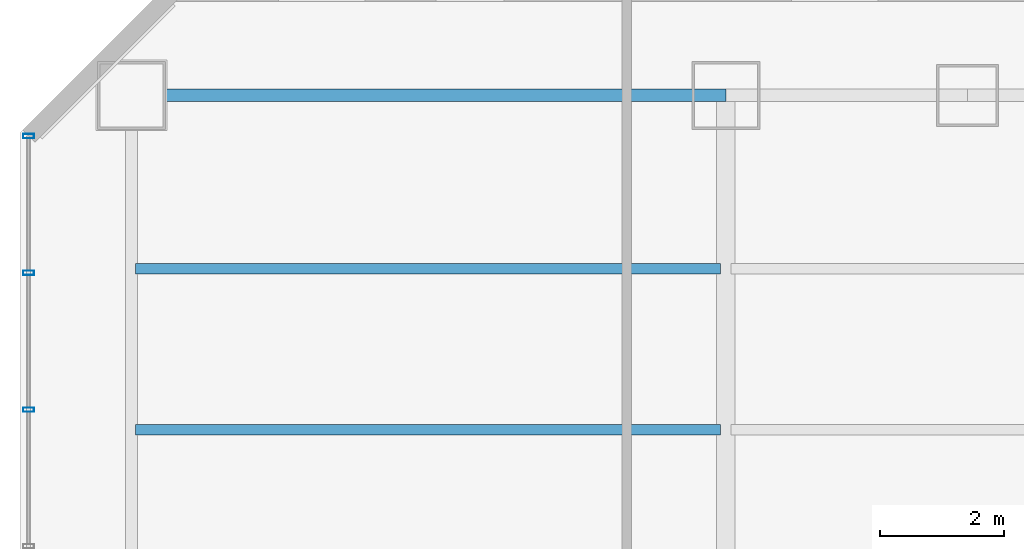
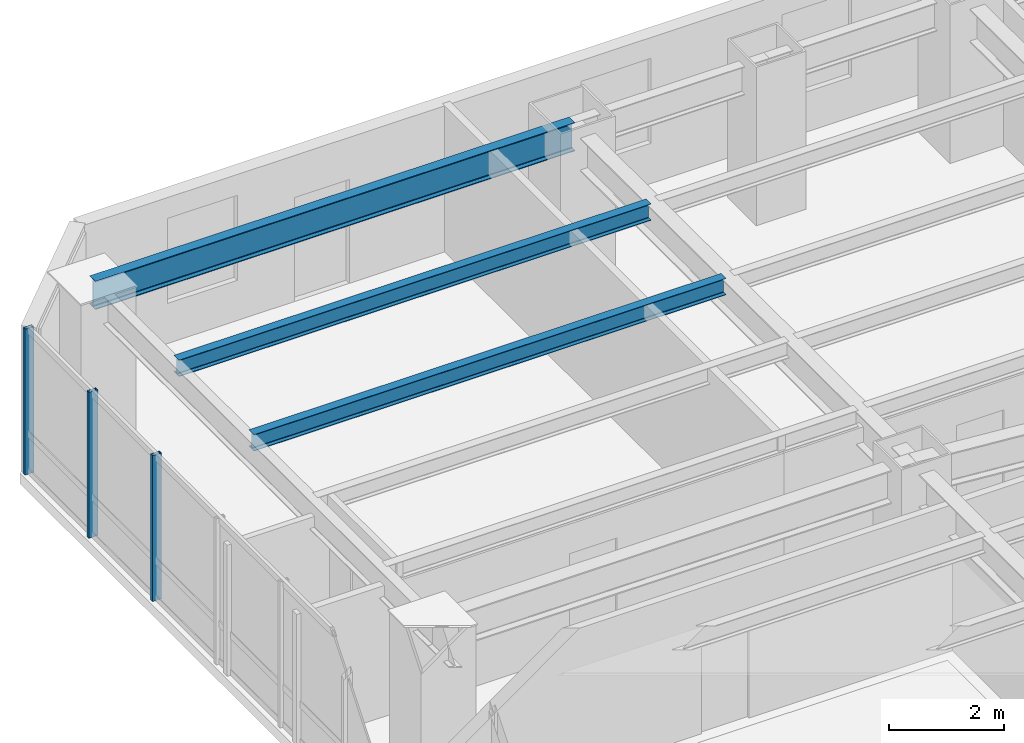
# One storey, part 22 of 39: 3 beams, 3 members, 1 element without a shape of its own.
"""IFC4 building model written with IfcOpenShell, lengths in metres."""

from ifc_helpers import new_model, si_unit, direction, frame, origin, origin_2d, place, context, subcontext, project, spatial, hollow_rectangle, i_section, extrude, material, layer, layer_set, material_profile, profile_set, type_object, element, aggregate, save


model = new_model("IFC4")

# Units and contexts
model_context = context("Model", 3, precision=1e-05, world=origin(), true_north=direction((0.0, 1.0)))
body_context = subcontext(model_context, "Body", "Model", "MODEL_VIEW")
ifc_project = project(units=[si_unit("LENGTHUNIT", "METRE"), si_unit("AREAUNIT", "SQUARE_METRE"), si_unit("VOLUMEUNIT", "CUBIC_METRE"), si_unit("PLANEANGLEUNIT", "RADIAN"), si_unit("MASSUNIT", "GRAM", prefix="KILO")], contexts=[model_context])

# Site, building, storey
site_placement = place(None, origin())
site = spatial("IfcSite", under=ifc_project, at=site_placement, CompositionType="ELEMENT")
building_placement = place(site_placement, origin())
building = spatial("IfcBuilding", under=site, at=building_placement, Name="Hatsunagi Terrace Concourse", CompositionType="ELEMENT")
storey_placement = place(building_placement, frame((0.0, 0.0, 66.75)))
storey = spatial("IfcBuildingStorey", under=building, at=storey_placement, Name="L17", CompositionType="ELEMENT", Elevation=66.75)

# Curtain wall, members
ifc_material_1 = material(Name="Anodised Aluminium Alloy 6063-T5", Category="aluminium")
ifc_layer = layer(ifc_material_1, 0.199951171875)
ifc_layer_set = layer_set([ifc_layer], Name="HotelFacade_CW02")
curtain_wall_type = type_object("IfcCurtainWallType", Name="HotelFacade_CW02", PredefinedType="NOTDEFINED", material=ifc_layer_set)
curtain_wall_placement = place(storey_placement, origin())
curtain_wall = element("IfcCurtainWall", 1, at=curtain_wall_placement, inside=storey, type_object=curtain_wall_type, Name="Unitised Curtain Wall CW-02 CW-L17-09", PredefinedType="NOTDEFINED")
ifc_material_2 = material(Name="Anodised Aluminium Alloy 6063-T5", Category="aluminium")
ifc_material_profile_1 = material_profile(ifc_material_2, hollow_rectangle(XDim=0.070068359375, YDim=0.179931640625, WallThickness=0.00390625, at=origin_2d()), Name="ALU-MUL-180x70x4")
ifc_profile_set_1 = profile_set([ifc_material_profile_1], Name="Anodised Aluminium Alloy 6063-T5")
member_type = type_object("IfcMemberType", Name="CurtainWallMullion_180x70", PredefinedType="MULLION", material=ifc_profile_set_1)
member_1_placement = place(storey_placement, frame((0.139892578125, 43.52490234375, 0.0), z_axis=(0.0, 0.0, 1.0), x_axis=(0.0, 1.0, 0.0)))
member_1 = element("IfcMember", 2, at=member_1_placement, type_object=member_type, Name="Curtain Wall Mullion MUL-02", PredefinedType="MULLION", context=body_context, shape_type="SweptSolid", body=[
    extrude(hollow_rectangle(XDim=0.070068359375, YDim=0.179931640625, WallThickness=0.00390625, at=origin_2d()), origin(), (0.0, 0.0, 1.0), 3.090087890625),
])
member_2_placement = place(storey_placement, frame((0.139892578125, 45.73388671875, 0.0), z_axis=(0.0, 0.0, 1.0), x_axis=(0.0, 1.0, 0.0)))
member_2 = element("IfcMember", 3, at=member_2_placement, type_object=member_type, Name="Curtain Wall Mullion MUL-02", PredefinedType="MULLION", context=body_context, shape_type="SweptSolid", body=[
    extrude(hollow_rectangle(XDim=0.070068359375, YDim=0.179931640625, WallThickness=0.00390625, at=origin_2d()), origin(), (0.0, 0.0, 1.0), 3.090087890625),
])
member_3_placement = place(storey_placement, frame((0.139892578125, 47.94189453125, 0.0), z_axis=(0.0, 0.0, 1.0), x_axis=(0.0, 1.0, 0.0)))
member_3 = element("IfcMember", 4, at=member_3_placement, type_object=member_type, Name="Curtain Wall Mullion MUL-02", PredefinedType="MULLION", context=body_context, shape_type="SweptSolid", body=[
    extrude(hollow_rectangle(XDim=0.070068359375, YDim=0.179931640625, WallThickness=0.00390625, at=origin_2d()), origin(), (0.0, 0.0, 1.0), 3.090087890625),
])
aggregate(curtain_wall, [member_1, member_2, member_3])

# Beams
ifc_material_3 = material(Name="Steel SN490B", Category="steel")
ifc_material_profile_2 = material_profile(ifc_material_3, i_section(OverallWidth=0.175048828125, OverallDepth=0.35009765625, WebThickness=0.007080078125, FlangeThickness=0.010986328125, FilletRadius=0.012939453125, at=origin_2d()), Name="H-350x175x7x11")
ifc_profile_set_2 = profile_set([ifc_material_profile_2], Name="Steel SN490B")
beam_type_1 = type_object("IfcBeamType", Name="HotelJoist_H_350x175", PredefinedType="JOIST", material=ifc_profile_set_2)
for number, where, z_axis, x_axis, name in (
    (5, (1.864990234375, 43.199951171875, 2.955078125), (1.0, 0.0, 0.0), (0.0, 1.0, 0.0), "Beam J-02 J-L17-W-1-432"),
    (6, (1.864990234375, 45.800048828125, 2.955078125), (1.0, 0.0, 0.0), (0.0, 1.0, 0.0), "Beam J-02 J-L17-W-1-458"),
):
    element("IfcBeam", number, at=place(storey_placement, frame(where, z_axis=z_axis, x_axis=x_axis)), inside=storey, type_object=beam_type_1, Name=name, PredefinedType="JOIST", context=body_context, shape_type="SweptSolid", body=[
        extrude(i_section(OverallWidth=0.175048828125, OverallDepth=0.35009765625, WebThickness=0.007080078125, FlangeThickness=0.010986328125, FilletRadius=0.012939453125, at=origin_2d()), origin(), (0.0, 0.0, 1.0), 9.449951171875),
    ])
ifc_material_4 = material(Name="Steel SN490B", Category="steel")
ifc_material_profile_3 = material_profile(ifc_material_4, i_section(OverallWidth=0.199951171875, OverallDepth=0.60009765625, WebThickness=0.010986328125, FlangeThickness=0.01708984375, FilletRadius=0.01806640625, at=origin_2d()), Name="H-600x200x11x17")
ifc_profile_set_3 = profile_set([ifc_material_profile_3], Name="Steel SN490B")
beam_type_2 = type_object("IfcBeamType", Name="PerimeterSpandrel_H_600x200", PredefinedType="SPANDREL", material=ifc_profile_set_3)
beam_placement = place(storey_placement, frame((1.800048828125, 48.60009765625, 2.830078125), z_axis=(1.0, 0.0, 0.0), x_axis=(0.0, 1.0, 0.0)))
element("IfcBeam", 7, at=beam_placement, inside=storey, type_object=beam_type_2, Name="Beam SP-01 BM-L17-WN-1", PredefinedType="SPANDREL", context=body_context, shape_type="SweptSolid", body=[
    extrude(i_section(OverallWidth=0.199951171875, OverallDepth=0.60009765625, WebThickness=0.010986328125, FlangeThickness=0.01708984375, FilletRadius=0.01806640625, at=origin_2d()), origin(), (0.0, 0.0, 1.0), 9.599853515625),
])

save(model, "model.ifc")
